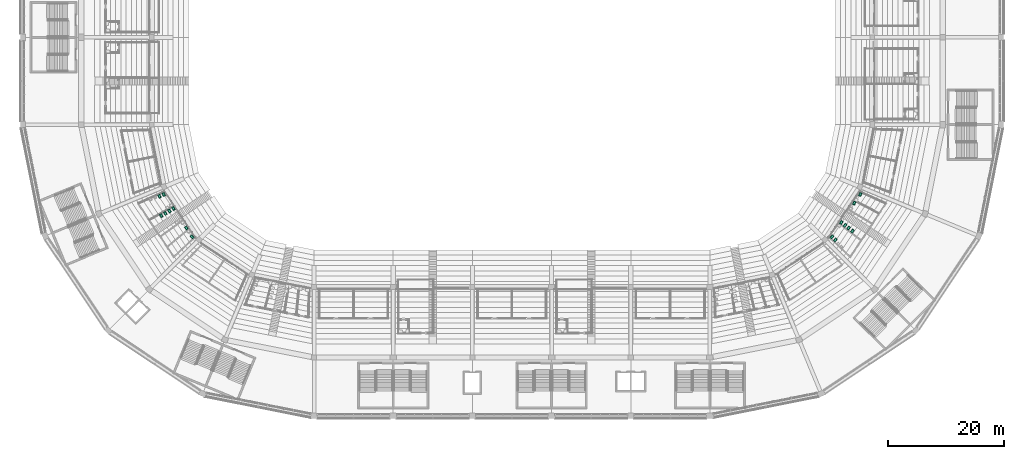
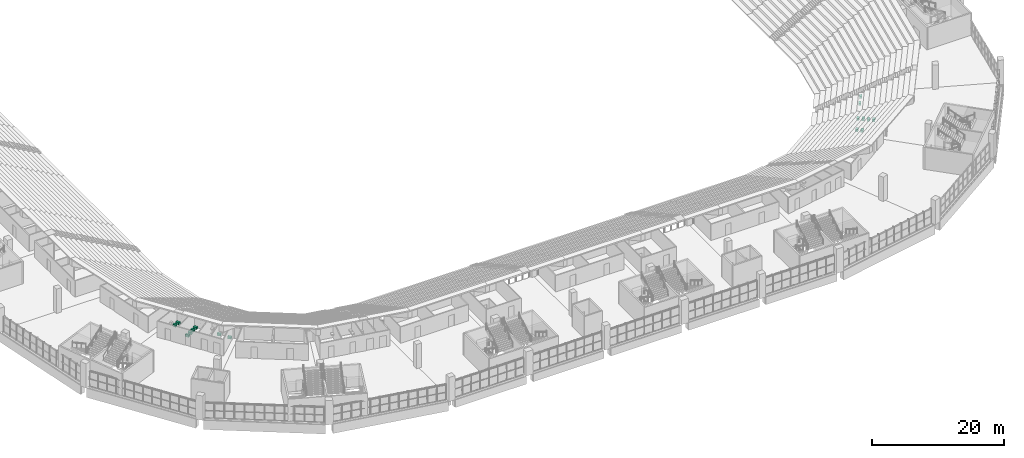
# One storey, part 243 of 249: 16 sanitary terminals.
"""IFC4 building model written with IfcOpenShell, lengths in metres."""

from ifc_helpers import new_model, si_unit, direction, frame, origin, origin_2d, place, context, subcontext, project, spatial, rectangle, extrude, material, type_object, element, save


model = new_model("IFC4")

# Units and contexts
model_context = context("Model", 3, precision=1e-05, world=origin(), true_north=direction((0.0, 1.0)))
body_context = subcontext(model_context, "Body", "Model", "MODEL_VIEW")
ifc_project = project(units=[si_unit("LENGTHUNIT", "METRE"), si_unit("AREAUNIT", "SQUARE_METRE"), si_unit("VOLUMEUNIT", "CUBIC_METRE"), si_unit("PLANEANGLEUNIT", "RADIAN"), si_unit("MASSUNIT", "GRAM", prefix="KILO")], contexts=[model_context])

# Site, building, storey
site_placement = place(None, origin())
site = spatial("IfcSite", under=ifc_project, at=site_placement, CompositionType="ELEMENT")
building_placement = place(site_placement, origin())
building = spatial("IfcBuilding", under=site, at=building_placement, Name="Ogive Plaza Stadium", CompositionType="ELEMENT")
storey_placement = place(building_placement, frame((0.0, 0.0, 13.5)))
storey = spatial("IfcBuildingStorey", under=building, at=storey_placement, Name="L03", CompositionType="ELEMENT", Elevation=13.5)

# Sanitary terminals
ifc_material = material(Name="Vitreous china", Category="ceramic")
sanitary_terminal_type = type_object("IfcSanitaryTerminalType", Name="Water closet", PredefinedType="TOILETPAN", material=ifc_material)
for number, where, z_axis, x_axis, name in (
    (1, (54.95068359375, -71.769775390625, 0.0), (0.0, 0.0, 1.0), (0.728841970378, -0.684681956982, 0.0), "Water closet L03-041"),
    (2, (55.533935546875, -72.317626953125, 0.0), (0.0, 0.0, 1.0), (0.728841970378, -0.684681956982, 0.0), "Water closet L03-041"),
    (3, (-59.820556640625, -64.481689453125, 0.0), (0.0, 0.0, 1.0), (-0.911479393211, -0.411345737491, 0.0), "Water closet L03-069"),
    (4, (-60.5498046875, -64.810791015625, 0.0), (0.0, 0.0, 1.0), (-0.911479393211, -0.411345737491, 0.0), "Water closet L03-069"),
    (5, (56.56494140625, -69.3037109375, 0.0), (0.0, 0.0, 1.0), (0.795627871822, -0.605785679576, 0.0), "Water closet L03-042"),
    (6, (57.201416015625, -69.788330078125, 0.0), (0.0, 0.0, 1.0), (0.795627871822, -0.605785679576, 0.0), "Water closet L03-042"),
    (7, (57.837890625, -70.27294921875, 0.0), (0.0, 0.0, 1.0), (0.795627871822, -0.605785679576, 0.0), "Water closet L03-042"),
    (8, (58.474609375, -70.7578125, 0.0), (0.0, 0.0, 1.0), (0.795627871822, -0.605785679576, 0.0), "Water closet L03-042"),
    (9, (-58.159912109375, -66.916748046875, 0.0), (0.0, 0.0, 1.0), (-0.864146595323, -0.503240163134, 0.0), "Water closet L03-070"),
    (10, (-58.851318359375, -67.3193359375, 0.0), (0.0, 0.0, 1.0), (-0.864146595323, -0.503240163134, 0.0), "Water closet L03-070"),
    (11, (-59.54248046875, -67.721923828125, 0.0), (0.0, 0.0, 1.0), (-0.864146595323, -0.503240163134, 0.0), "Water closet L03-070"),
    (12, (-60.23388671875, -68.12451171875, 0.0), (0.0, 0.0, 1.0), (-0.864146595323, -0.503240163134, 0.0), "Water closet L03-070"),
    (13, (58.802978515625, -65.974609375, 0.0), (0.0, 0.0, 1.0), (0.883725608969, -0.468005393188, 0.0), "Water closet L03-043"),
    (14, (59.820556640625, -64.481689453125, 0.0), (0.0, 0.0, 1.0), (0.911479393211, -0.411345737491, 0.0), "Water closet L03-044"),
    (15, (-55.940673828125, -70.25830078125, 0.0), (0.0, 0.0, 1.0), (-0.77056775318, -0.637358092252, 0.0), "Water closet L03-071"),
    (16, (-54.95068359375, -71.769775390625, 0.0), (0.0, 0.0, 1.0), (-0.728841970378, -0.684681956982, 0.0), "Water closet L03-072"),
):
    element("IfcSanitaryTerminal", number, at=place(storey_placement, frame(where, z_axis=z_axis, x_axis=x_axis)), inside=storey, type_object=sanitary_terminal_type, Name=name, PredefinedType="TOILETPAN", context=body_context, shape_type="SweptSolid", body=[
        extrude(rectangle(XDim=0.39990234375, YDim=0.60009765625, at=origin_2d()), origin(), (0.0, 0.0, 1.0), 0.39990234375),
    ])

save(model, "model.ifc")
